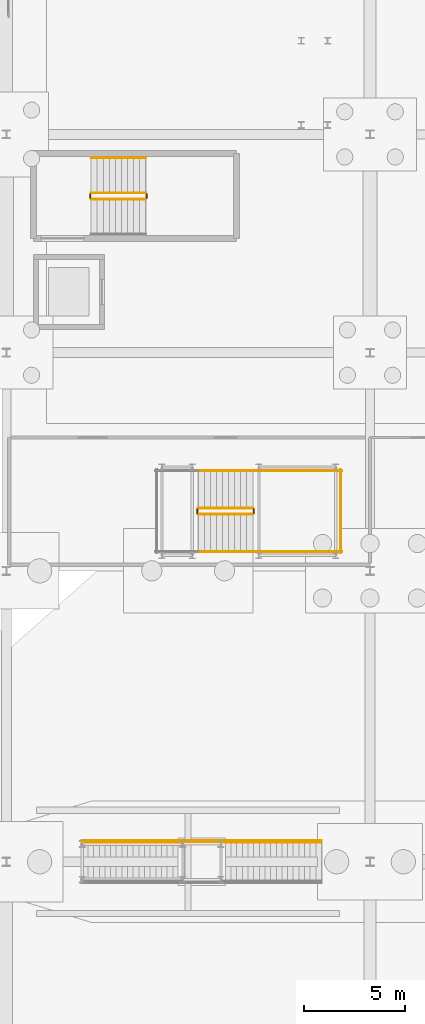
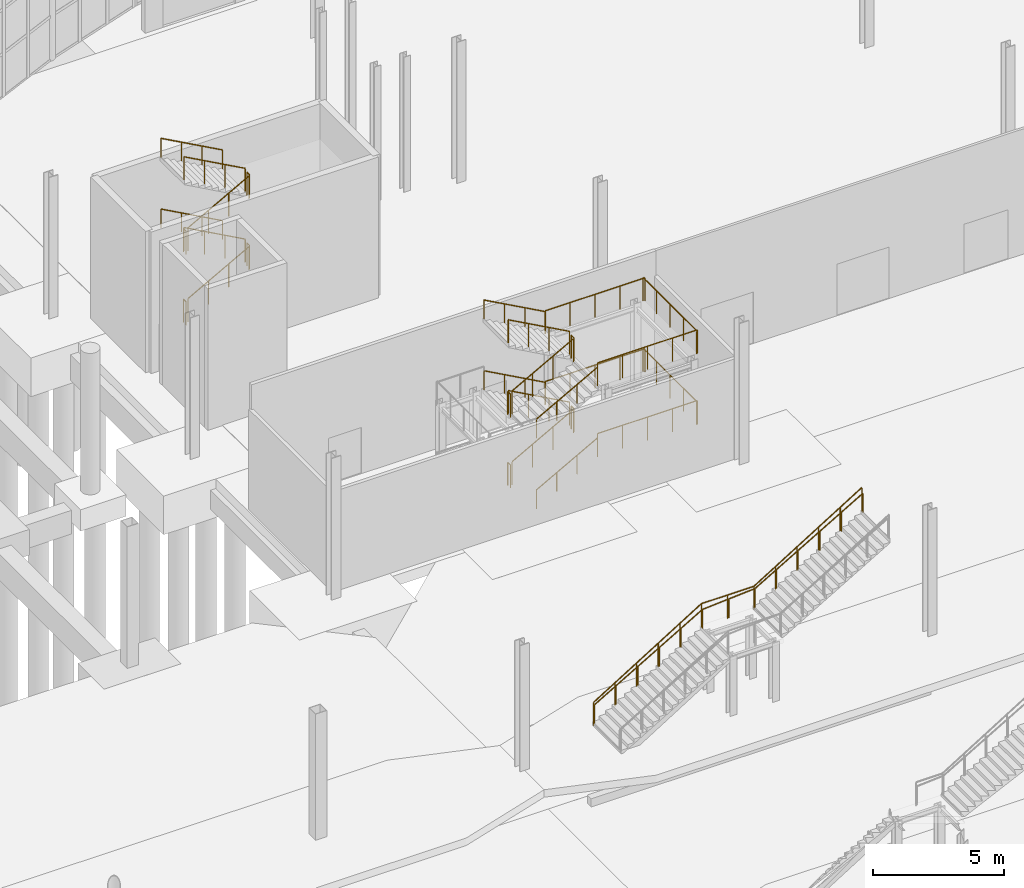
# One storey, part 108 of 115: 30 railings.
"""IFC4 building model written with IfcOpenShell, lengths in metres."""

from ifc_helpers import new_model, si_unit, direction, frame, origin, origin_2d, place, context, subcontext, project, spatial, circle, extrude, material, type_object, element, save


model = new_model("IFC4")

# Units and contexts
model_context = context("Model", 3, precision=1e-05, world=origin(), true_north=direction((0.0, 1.0)))
body_context = subcontext(model_context, "Body", "Model", "MODEL_VIEW")
ifc_project = project(units=[si_unit("LENGTHUNIT", "METRE"), si_unit("AREAUNIT", "SQUARE_METRE"), si_unit("VOLUMEUNIT", "CUBIC_METRE"), si_unit("PLANEANGLEUNIT", "RADIAN"), si_unit("MASSUNIT", "GRAM", prefix="KILO")], contexts=[model_context])

# Site, building, storey
site_placement = place(None, origin())
site = spatial("IfcSite", under=ifc_project, at=site_placement, CompositionType="ELEMENT")
building_placement = place(site_placement, origin())
building = spatial("IfcBuilding", under=site, at=building_placement, Name="Tamarisk Ironworks Central Station", CompositionType="ELEMENT")
storey_placement = place(building_placement, origin())
storey = spatial("IfcBuildingStorey", under=building, at=storey_placement, Name="L00", CompositionType="ELEMENT", Elevation=0.0)

# Railings
ifc_material_1 = material(Name="Laminated solar-control low-E glass", Category="glass")
railing_type_1 = type_object("IfcRailingType", Name="RL-GUARD-GLASS", PredefinedType="BALUSTRADE", material=ifc_material_1)
railing_1_placement = place(storey_placement, frame((63.5, 82.0, 0.1650390625)))
element("IfcRailing", 1, at=railing_1_placement, inside=storey, type_object=railing_type_1, Name="L00 ST-TH1 stair guard 1", PredefinedType="BALUSTRADE", context=body_context, shape_type="SweptSolid", body=[
    extrude(circle(Radius=0.02392578125, at=origin_2d()), frame((0.0, 0.0, 1.076171875), z_axis=(0.876230963923, 0.0, 0.481891375584), x_axis=(0.0, 1.0, 0.0)), (0.0, 0.0, 1.0), 3.081298828125),
    extrude(circle(Radius=0.02099609375, at=origin_2d()), origin(), (0.0, 0.0, 1.0), 1.052001953125),
    extrude(circle(Radius=0.02099609375, at=origin_2d()), frame((0.89990234375, 0.0, 0.494873046875)), (0.0, 0.0, 1.0), 1.052001953125),
    extrude(circle(Radius=0.02099609375, at=origin_2d()), frame((1.800048828125, 0.0, 0.989990234375)), (0.0, 0.0, 1.0), 1.052001953125),
    extrude(circle(Radius=0.02099609375, at=origin_2d()), frame((2.699951171875, 0.0, 1.48486328125)), (0.0, 0.0, 1.0), 1.052001953125),
])
railing_2_placement = place(storey_placement, frame((66.25, 82.050048828125, 1.64990234375)))
element("IfcRailing", 2, at=railing_2_placement, inside=storey, type_object=railing_type_1, Name="L00 ST-TH1 stair guard 2", PredefinedType="BALUSTRADE", context=body_context, shape_type="SweptSolid", body=[
    extrude(circle(Radius=0.02392578125, at=origin_2d()), frame((0.0, 0.0, 1.076171875), z_axis=(0.0, 1.0, 0.0), x_axis=(-1.0, 0.0, 0.0)), (0.0, 0.0, 1.0), 0.199951171875),
    extrude(circle(Radius=0.02099609375, at=origin_2d()), origin(), (0.0, 0.0, 1.0), 1.052001953125),
    extrude(circle(Radius=0.02099609375, at=origin_2d()), frame((0.0, 0.199951171875, 0.0)), (0.0, 0.0, 1.0), 1.052001953125),
])
for number, where, name in (
    (3, (66.199951171875, 80.14990234375, 1.64990234375), "L00 ST-TH1 stair guard 3"),
    (4, (66.199951171875, 84.14990234375, 1.64990234375), "L00 ST-TH1 stair guard 4"),
):
    element("IfcRailing", number, at=place(storey_placement, frame(where)), inside=storey, type_object=railing_type_1, Name=name, PredefinedType="BALUSTRADE", context=body_context, shape_type="SweptSolid", body=[
        extrude(circle(Radius=0.02392578125, at=origin_2d()), frame((0.0, 0.0, 1.076171875), z_axis=(1.0, 0.0, 0.0), x_axis=(0.0, 1.0, 0.0)), (0.0, 0.0, 1.0), 4.400146484375),
        extrude(circle(Radius=0.02099609375, at=origin_2d()), origin(), (0.0, 0.0, 1.0), 1.052001953125),
        extrude(circle(Radius=0.02099609375, at=origin_2d()), frame((1.10009765625, 0.0, 0.0)), (0.0, 0.0, 1.0), 1.052001953125),
        extrude(circle(Radius=0.02099609375, at=origin_2d()), frame((2.2001953125, 0.0, 0.0)), (0.0, 0.0, 1.0), 1.052001953125),
        extrude(circle(Radius=0.02099609375, at=origin_2d()), frame((3.300048828125, 0.0, 0.0)), (0.0, 0.0, 1.0), 1.052001953125),
        extrude(circle(Radius=0.02099609375, at=origin_2d()), frame((4.400146484375, 0.0, 0.0)), (0.0, 0.0, 1.0), 1.052001953125),
    ])
railing_3_placement = place(storey_placement, frame((70.550048828125, 80.10009765625, 1.64990234375)))
element("IfcRailing", 5, at=railing_3_placement, inside=storey, type_object=railing_type_1, Name="L00 ST-TH1 stair guard 5", PredefinedType="BALUSTRADE", context=body_context, shape_type="SweptSolid", body=[
    extrude(circle(Radius=0.02392578125, at=origin_2d()), frame((0.0, 0.0, 1.076171875), z_axis=(0.0, 1.0, 0.0), x_axis=(-1.0, 0.0, 0.0)), (0.0, 0.0, 1.0), 4.099853515625),
    extrude(circle(Radius=0.02099609375, at=origin_2d()), origin(), (0.0, 0.0, 1.0), 1.052001953125),
    extrude(circle(Radius=0.02099609375, at=origin_2d()), frame((0.0, 1.02490234375, 0.0)), (0.0, 0.0, 1.0), 1.052001953125),
    extrude(circle(Radius=0.02099609375, at=origin_2d()), frame((0.0, 2.0498046875, 0.0)), (0.0, 0.0, 1.0), 1.052001953125),
    extrude(circle(Radius=0.02099609375, at=origin_2d()), frame((0.0, 3.074951171875, 0.0)), (0.0, 0.0, 1.0), 1.052001953125),
    extrude(circle(Radius=0.02099609375, at=origin_2d()), frame((0.0, 4.099853515625, 0.0)), (0.0, 0.0, 1.0), 1.052001953125),
])
railing_4_placement = place(storey_placement, frame((66.199951171875, 82.300048828125, 1.81494140625)))
element("IfcRailing", 6, at=railing_4_placement, inside=storey, type_object=railing_type_1, Name="L00 ST-TH1 stair guard 6", PredefinedType="BALUSTRADE", context=body_context, shape_type="SweptSolid", body=[
    extrude(circle(Radius=0.02392578125, at=origin_2d()), frame((0.0, 0.0, 1.076171875), z_axis=(-0.876197507361, 0.0, 0.481952205197), x_axis=(0.0, -1.0, 0.0)), (0.0, 0.0, 1.0), 3.08154296875),
    extrude(circle(Radius=0.02099609375, at=origin_2d()), origin(), (0.0, 0.0, 1.0), 1.052001953125),
    extrude(circle(Radius=0.02099609375, at=origin_2d()), frame((-0.89990234375, 0.0, 0.4951171875)), (0.0, 0.0, 1.0), 1.052001953125),
    extrude(circle(Radius=0.02099609375, at=origin_2d()), frame((-1.800048828125, 0.0, 0.989990234375)), (0.0, 0.0, 1.0), 1.052001953125),
    extrude(circle(Radius=0.02099609375, at=origin_2d()), frame((-2.699951171875, 0.0, 1.485107421875)), (0.0, 0.0, 1.0), 1.052001953125),
])
railing_5_placement = place(storey_placement, frame((63.449951171875, 82.050048828125, 3.300048828125)))
element("IfcRailing", 7, at=railing_5_placement, inside=storey, type_object=railing_type_1, Name="L00 ST-TH1 stair guard 7", PredefinedType="BALUSTRADE", context=body_context, shape_type="SweptSolid", body=[
    extrude(circle(Radius=0.02392578125, at=origin_2d()), frame((0.0, 0.0, 1.076171875), z_axis=(0.0, 1.0, 0.0), x_axis=(-1.0, 0.0, 0.0)), (0.0, 0.0, 1.0), 0.199951171875),
    extrude(circle(Radius=0.02099609375, at=origin_2d()), origin(), (0.0, 0.0, 1.0), 1.052001953125),
    extrude(circle(Radius=0.02099609375, at=origin_2d()), frame((0.0, 0.199951171875, 0.0)), (0.0, 0.0, 1.0), 1.052001953125),
])
railing_6_placement = place(storey_placement, frame((63.5, 82.0, 3.465087890625)))
element("IfcRailing", 8, at=railing_6_placement, inside=storey, type_object=railing_type_1, Name="L00 ST-TH1 stair guard 11", PredefinedType="BALUSTRADE", context=body_context, shape_type="SweptSolid", body=[
    extrude(circle(Radius=0.02392578125, at=origin_2d()), frame((0.0, 0.0, 1.076171875), z_axis=(0.876230963923, 0.0, 0.481891375584), x_axis=(0.0, 1.0, 0.0)), (0.0, 0.0, 1.0), 3.081298828125),
    extrude(circle(Radius=0.02099609375, at=origin_2d()), origin(), (0.0, 0.0, 1.0), 1.052001953125),
    extrude(circle(Radius=0.02099609375, at=origin_2d()), frame((0.89990234375, 0.0, 0.494873046875)), (0.0, 0.0, 1.0), 1.052001953125),
    extrude(circle(Radius=0.02099609375, at=origin_2d()), frame((1.800048828125, 0.0, 0.989990234375)), (0.0, 0.0, 1.0), 1.052001953125),
    extrude(circle(Radius=0.02099609375, at=origin_2d()), frame((2.699951171875, 0.0, 1.48486328125)), (0.0, 0.0, 1.0), 1.052001953125),
])
railing_7_placement = place(storey_placement, frame((66.25, 82.050048828125, 4.949951171875)))
element("IfcRailing", 9, at=railing_7_placement, inside=storey, type_object=railing_type_1, Name="L00 ST-TH1 stair guard 12", PredefinedType="BALUSTRADE", context=body_context, shape_type="SweptSolid", body=[
    extrude(circle(Radius=0.02392578125, at=origin_2d()), frame((0.0, 0.0, 1.076171875), z_axis=(0.0, 1.0, 0.0), x_axis=(-1.0, 0.0, 0.0)), (0.0, 0.0, 1.0), 0.199951171875),
    extrude(circle(Radius=0.02099609375, at=origin_2d()), origin(), (0.0, 0.0, 1.0), 1.052001953125),
    extrude(circle(Radius=0.02099609375, at=origin_2d()), frame((0.0, 0.199951171875, 0.0)), (0.0, 0.0, 1.0), 1.052001953125),
])
for number, where, name in (
    (10, (66.199951171875, 80.14990234375, 4.949951171875), "L00 ST-TH1 stair guard 13"),
    (11, (66.199951171875, 84.14990234375, 4.949951171875), "L00 ST-TH1 stair guard 14"),
):
    element("IfcRailing", number, at=place(storey_placement, frame(where)), inside=storey, type_object=railing_type_1, Name=name, PredefinedType="BALUSTRADE", context=body_context, shape_type="SweptSolid", body=[
        extrude(circle(Radius=0.02392578125, at=origin_2d()), frame((0.0, 0.0, 1.076171875), z_axis=(1.0, 0.0, 0.0), x_axis=(0.0, 1.0, 0.0)), (0.0, 0.0, 1.0), 4.400146484375),
        extrude(circle(Radius=0.02099609375, at=origin_2d()), origin(), (0.0, 0.0, 1.0), 1.052001953125),
        extrude(circle(Radius=0.02099609375, at=origin_2d()), frame((1.10009765625, 0.0, 0.0)), (0.0, 0.0, 1.0), 1.052001953125),
        extrude(circle(Radius=0.02099609375, at=origin_2d()), frame((2.2001953125, 0.0, 0.0)), (0.0, 0.0, 1.0), 1.052001953125),
        extrude(circle(Radius=0.02099609375, at=origin_2d()), frame((3.300048828125, 0.0, 0.0)), (0.0, 0.0, 1.0), 1.052001953125),
        extrude(circle(Radius=0.02099609375, at=origin_2d()), frame((4.400146484375, 0.0, 0.0)), (0.0, 0.0, 1.0), 1.052001953125),
    ])
railing_8_placement = place(storey_placement, frame((70.550048828125, 80.10009765625, 4.949951171875)))
element("IfcRailing", 12, at=railing_8_placement, inside=storey, type_object=railing_type_1, Name="L00 ST-TH1 stair guard 15", PredefinedType="BALUSTRADE", context=body_context, shape_type="SweptSolid", body=[
    extrude(circle(Radius=0.02392578125, at=origin_2d()), frame((0.0, 0.0, 1.076171875), z_axis=(0.0, 1.0, 0.0), x_axis=(-1.0, 0.0, 0.0)), (0.0, 0.0, 1.0), 4.099853515625),
    extrude(circle(Radius=0.02099609375, at=origin_2d()), origin(), (0.0, 0.0, 1.0), 1.052001953125),
    extrude(circle(Radius=0.02099609375, at=origin_2d()), frame((0.0, 1.02490234375, 0.0)), (0.0, 0.0, 1.0), 1.052001953125),
    extrude(circle(Radius=0.02099609375, at=origin_2d()), frame((0.0, 2.0498046875, 0.0)), (0.0, 0.0, 1.0), 1.052001953125),
    extrude(circle(Radius=0.02099609375, at=origin_2d()), frame((0.0, 3.074951171875, 0.0)), (0.0, 0.0, 1.0), 1.052001953125),
    extrude(circle(Radius=0.02099609375, at=origin_2d()), frame((0.0, 4.099853515625, 0.0)), (0.0, 0.0, 1.0), 1.052001953125),
])
railing_9_placement = place(storey_placement, frame((66.199951171875, 82.300048828125, 5.114990234375)))
element("IfcRailing", 13, at=railing_9_placement, inside=storey, type_object=railing_type_1, Name="L00 ST-TH1 stair guard 16", PredefinedType="BALUSTRADE", context=body_context, shape_type="SweptSolid", body=[
    extrude(circle(Radius=0.02392578125, at=origin_2d()), frame((0.0, 0.0, 1.076171875), z_axis=(-0.876197507361, 0.0, 0.481952205197), x_axis=(0.0, -1.0, 0.0)), (0.0, 0.0, 1.0), 3.08154296875),
    extrude(circle(Radius=0.02099609375, at=origin_2d()), origin(), (0.0, 0.0, 1.0), 1.052001953125),
    extrude(circle(Radius=0.02099609375, at=origin_2d()), frame((-0.89990234375, 0.0, 0.4951171875)), (0.0, 0.0, 1.0), 1.052001953125),
    extrude(circle(Radius=0.02099609375, at=origin_2d()), frame((-1.800048828125, 0.0, 0.989990234375)), (0.0, 0.0, 1.0), 1.052001953125),
    extrude(circle(Radius=0.02099609375, at=origin_2d()), frame((-2.699951171875, 0.0, 1.485107421875)), (0.0, 0.0, 1.0), 1.052001953125),
])
railing_10_placement = place(storey_placement, frame((63.449951171875, 82.050048828125, 0.0)))
element("IfcRailing", 14, at=railing_10_placement, inside=storey, type_object=railing_type_1, Name="L00 ST-TH1 stair guard 17", PredefinedType="BALUSTRADE", context=body_context, shape_type="SweptSolid", body=[
    extrude(circle(Radius=0.02392578125, at=origin_2d()), frame((0.0, 0.0, 1.076171875), z_axis=(0.0, 1.0, 0.0), x_axis=(-1.0, 0.0, 0.0)), (0.0, 0.0, 1.0), 0.199951171875),
    extrude(circle(Radius=0.02099609375, at=origin_2d()), origin(), (0.0, 0.0, 1.0), 1.052001953125),
    extrude(circle(Radius=0.02099609375, at=origin_2d()), frame((0.0, 0.199951171875, 0.0)), (0.0, 0.0, 1.0), 1.052001953125),
])
ifc_material_2 = material(Name="Brushed stainless steel AISI 316", Category="steel")
railing_type_2 = type_object("IfcRailingType", Name="RL-GUARD-INT", PredefinedType="BALUSTRADE", material=ifc_material_2)
railing_11_placement = place(storey_placement, frame((58.199951171875, 97.60009765625, 0.1650390625)))
element("IfcRailing", 15, at=railing_11_placement, inside=storey, type_object=railing_type_2, Name="L00 ST-C3 stair guard 1", PredefinedType="BALUSTRADE", context=body_context, shape_type="SweptSolid", body=[
    extrude(circle(Radius=0.02392578125, at=origin_2d()), frame((0.0, 0.0, 1.076171875), z_axis=(0.876230963923, 0.0, 0.481891375584), x_axis=(0.0, 1.0, 0.0)), (0.0, 0.0, 1.0), 3.081298828125),
    extrude(circle(Radius=0.02099609375, at=origin_2d()), origin(), (0.0, 0.0, 1.0), 1.052001953125),
    extrude(circle(Radius=0.02099609375, at=origin_2d()), frame((0.89990234375, 0.0, 0.494873046875)), (0.0, 0.0, 1.0), 1.052001953125),
    extrude(circle(Radius=0.02099609375, at=origin_2d()), frame((1.800048828125, 0.0, 0.989990234375)), (0.0, 0.0, 1.0), 1.052001953125),
    extrude(circle(Radius=0.02099609375, at=origin_2d()), frame((2.699951171875, 0.0, 1.48486328125)), (0.0, 0.0, 1.0), 1.052001953125),
])
railing_12_placement = place(storey_placement, frame((60.949951171875, 97.64990234375, 1.64990234375)))
element("IfcRailing", 16, at=railing_12_placement, inside=storey, type_object=railing_type_2, Name="L00 ST-C3 stair guard 2", PredefinedType="BALUSTRADE", context=body_context, shape_type="SweptSolid", body=[
    extrude(circle(Radius=0.02392578125, at=origin_2d()), frame((0.0, 0.0, 1.076171875), z_axis=(0.0, 1.0, 0.0), x_axis=(-1.0, 0.0, 0.0)), (0.0, 0.0, 1.0), 0.2001953125),
    extrude(circle(Radius=0.02099609375, at=origin_2d()), origin(), (0.0, 0.0, 1.0), 1.052001953125),
    extrude(circle(Radius=0.02099609375, at=origin_2d()), frame((0.0, 0.2001953125, 0.0)), (0.0, 0.0, 1.0), 1.052001953125),
])
railing_13_placement = place(storey_placement, frame((60.89990234375, 97.89990234375, 1.81494140625)))
element("IfcRailing", 17, at=railing_13_placement, inside=storey, type_object=railing_type_2, Name="L00 ST-C3 stair guard 3", PredefinedType="BALUSTRADE", context=body_context, shape_type="SweptSolid", body=[
    extrude(circle(Radius=0.02392578125, at=origin_2d()), frame((0.0, 0.0, 1.076171875), z_axis=(-0.876197507361, 0.0, 0.481952205197), x_axis=(0.0, -1.0, 0.0)), (0.0, 0.0, 1.0), 3.08154296875),
    extrude(circle(Radius=0.02099609375, at=origin_2d()), origin(), (0.0, 0.0, 1.0), 1.052001953125),
    extrude(circle(Radius=0.02099609375, at=origin_2d()), frame((-0.89990234375, 0.0, 0.4951171875)), (0.0, 0.0, 1.0), 1.052001953125),
    extrude(circle(Radius=0.02099609375, at=origin_2d()), frame((-1.800048828125, 0.0, 0.989990234375)), (0.0, 0.0, 1.0), 1.052001953125),
    extrude(circle(Radius=0.02099609375, at=origin_2d()), frame((-2.699951171875, 0.0, 1.485107421875)), (0.0, 0.0, 1.0), 1.052001953125),
])
railing_14_placement = place(storey_placement, frame((58.14990234375, 97.64990234375, 3.300048828125)))
element("IfcRailing", 18, at=railing_14_placement, inside=storey, type_object=railing_type_2, Name="L00 ST-C3 stair guard 4", PredefinedType="BALUSTRADE", context=body_context, shape_type="SweptSolid", body=[
    extrude(circle(Radius=0.02392578125, at=origin_2d()), frame((0.0, 0.0, 1.076171875), z_axis=(0.0, 1.0, 0.0), x_axis=(-1.0, 0.0, 0.0)), (0.0, 0.0, 1.0), 0.2001953125),
    extrude(circle(Radius=0.02099609375, at=origin_2d()), origin(), (0.0, 0.0, 1.0), 1.052001953125),
    extrude(circle(Radius=0.02099609375, at=origin_2d()), frame((0.0, 0.2001953125, 0.0)), (0.0, 0.0, 1.0), 1.052001953125),
])
railing_15_placement = place(storey_placement, frame((58.199951171875, 97.60009765625, 3.465087890625)))
element("IfcRailing", 19, at=railing_15_placement, inside=storey, type_object=railing_type_2, Name="L00 ST-C3 stair guard 5", PredefinedType="BALUSTRADE", context=body_context, shape_type="SweptSolid", body=[
    extrude(circle(Radius=0.02392578125, at=origin_2d()), frame((0.0, 0.0, 1.076171875), z_axis=(0.876230963923, 0.0, 0.481891375584), x_axis=(0.0, 1.0, 0.0)), (0.0, 0.0, 1.0), 3.081298828125),
    extrude(circle(Radius=0.02099609375, at=origin_2d()), origin(), (0.0, 0.0, 1.0), 1.052001953125),
    extrude(circle(Radius=0.02099609375, at=origin_2d()), frame((0.89990234375, 0.0, 0.494873046875)), (0.0, 0.0, 1.0), 1.052001953125),
    extrude(circle(Radius=0.02099609375, at=origin_2d()), frame((1.800048828125, 0.0, 0.989990234375)), (0.0, 0.0, 1.0), 1.052001953125),
    extrude(circle(Radius=0.02099609375, at=origin_2d()), frame((2.699951171875, 0.0, 1.48486328125)), (0.0, 0.0, 1.0), 1.052001953125),
])
railing_16_placement = place(storey_placement, frame((60.949951171875, 97.64990234375, 4.949951171875)))
element("IfcRailing", 20, at=railing_16_placement, inside=storey, type_object=railing_type_2, Name="L00 ST-C3 stair guard 6", PredefinedType="BALUSTRADE", context=body_context, shape_type="SweptSolid", body=[
    extrude(circle(Radius=0.02392578125, at=origin_2d()), frame((0.0, 0.0, 1.076171875), z_axis=(0.0, 1.0, 0.0), x_axis=(-1.0, 0.0, 0.0)), (0.0, 0.0, 1.0), 0.2001953125),
    extrude(circle(Radius=0.02099609375, at=origin_2d()), origin(), (0.0, 0.0, 1.0), 1.052001953125),
    extrude(circle(Radius=0.02099609375, at=origin_2d()), frame((0.0, 0.2001953125, 0.0)), (0.0, 0.0, 1.0), 1.052001953125),
])
railing_17_placement = place(storey_placement, frame((60.89990234375, 97.89990234375, 5.114990234375)))
element("IfcRailing", 21, at=railing_17_placement, inside=storey, type_object=railing_type_2, Name="L00 ST-C3 stair guard 7", PredefinedType="BALUSTRADE", context=body_context, shape_type="SweptSolid", body=[
    extrude(circle(Radius=0.02392578125, at=origin_2d()), frame((0.0, 0.0, 1.076171875), z_axis=(-0.876197507361, 0.0, 0.481952205197), x_axis=(0.0, -1.0, 0.0)), (0.0, 0.0, 1.0), 3.08154296875),
    extrude(circle(Radius=0.02099609375, at=origin_2d()), origin(), (0.0, 0.0, 1.0), 1.052001953125),
    extrude(circle(Radius=0.02099609375, at=origin_2d()), frame((-0.89990234375, 0.0, 0.4951171875)), (0.0, 0.0, 1.0), 1.052001953125),
    extrude(circle(Radius=0.02099609375, at=origin_2d()), frame((-1.800048828125, 0.0, 0.989990234375)), (0.0, 0.0, 1.0), 1.052001953125),
    extrude(circle(Radius=0.02099609375, at=origin_2d()), frame((-2.699951171875, 0.0, 1.485107421875)), (0.0, 0.0, 1.0), 1.052001953125),
])
railing_18_placement = place(storey_placement, frame((58.14990234375, 97.64990234375, 0.0)))
element("IfcRailing", 22, at=railing_18_placement, inside=storey, type_object=railing_type_2, Name="L00 ST-C3 stair guard 8", PredefinedType="BALUSTRADE", context=body_context, shape_type="SweptSolid", body=[
    extrude(circle(Radius=0.02392578125, at=origin_2d()), frame((0.0, 0.0, 1.076171875), z_axis=(0.0, 1.0, 0.0), x_axis=(-1.0, 0.0, 0.0)), (0.0, 0.0, 1.0), 0.2001953125),
    extrude(circle(Radius=0.02099609375, at=origin_2d()), origin(), (0.0, 0.0, 1.0), 1.052001953125),
    extrude(circle(Radius=0.02099609375, at=origin_2d()), frame((0.0, 0.2001953125, 0.0)), (0.0, 0.0, 1.0), 1.052001953125),
])
railing_19_placement = place(storey_placement, frame((57.760009765625, 65.840087890625, 0.719970703125)))
element("IfcRailing", 23, at=railing_19_placement, inside=storey, type_object=railing_type_2, Name="ST-P4A flight guard N", PredefinedType="BALUSTRADE", context=body_context, shape_type="SweptSolid", body=[
    extrude(circle(Radius=0.02392578125, at=origin_2d()), frame((0.0, 0.0, 1.09619140625), z_axis=(0.850803161698, 0.0, 0.525484519319), x_axis=(0.0, 1.0, 0.0)), (0.0, 0.0, 1.0), 5.5947265625),
    extrude(circle(Radius=0.02392578125, at=origin_2d()), frame((4.760009765625, 0.0, 4.0361328125), z_axis=(1.0, 0.0, 0.0), x_axis=(0.0, 1.0, 0.0)), (0.0, 0.0, 1.0), 2.320068359375),
    extrude(circle(Radius=0.02392578125, at=origin_2d()), frame((7.080078125, 0.0, 4.0361328125), z_axis=(0.850783651871, 0.0, 0.525516106041), x_axis=(0.0, 1.0, 0.0)), (0.0, 0.0, 1.0), 5.594970703125),
    extrude(circle(Radius=0.02099609375, at=origin_2d()), origin(), (0.0, 0.0, 1.0), 1.072021484375),
    extrude(circle(Radius=0.02099609375, at=origin_2d()), frame((0.951904296875, 0.0, 0.587890625)), (0.0, 0.0, 1.0), 1.072021484375),
    extrude(circle(Radius=0.02099609375, at=origin_2d()), frame((1.904052734375, 0.0, 1.176025390625)), (0.0, 0.0, 1.0), 1.072021484375),
    extrude(circle(Radius=0.02099609375, at=origin_2d()), frame((2.85595703125, 0.0, 1.763916015625)), (0.0, 0.0, 1.0), 1.072021484375),
    extrude(circle(Radius=0.02099609375, at=origin_2d()), frame((3.80810546875, 0.0, 2.35205078125)), (0.0, 0.0, 1.0), 1.072021484375),
    extrude(circle(Radius=0.02099609375, at=origin_2d()), frame((4.760009765625, 0.0, 2.93994140625)), (0.0, 0.0, 1.0), 1.072021484375),
    extrude(circle(Radius=0.02099609375, at=origin_2d()), frame((5.919921875, 0.0, 2.93994140625)), (0.0, 0.0, 1.0), 1.072021484375),
    extrude(circle(Radius=0.02099609375, at=origin_2d()), frame((7.080078125, 0.0, 2.93994140625)), (0.0, 0.0, 1.0), 1.072021484375),
    extrude(circle(Radius=0.02099609375, at=origin_2d()), frame((8.031982421875, 0.0, 3.528076171875)), (0.0, 0.0, 1.0), 1.072021484375),
    extrude(circle(Radius=0.02099609375, at=origin_2d()), frame((8.984130859375, 0.0, 4.115966796875)), (0.0, 0.0, 1.0), 1.072021484375),
    extrude(circle(Radius=0.02099609375, at=origin_2d()), frame((9.93603515625, 0.0, 4.7041015625)), (0.0, 0.0, 1.0), 1.072021484375),
    extrude(circle(Radius=0.02099609375, at=origin_2d()), frame((10.88818359375, 0.0, 5.2919921875)), (0.0, 0.0, 1.0), 1.072021484375),
    extrude(circle(Radius=0.02099609375, at=origin_2d()), frame((11.840087890625, 0.0, 5.880126953125)), (0.0, 0.0, 1.0), 1.072021484375),
])
railing_type_3 = type_object("IfcRailingType", Name="RL-HAND", PredefinedType="HANDRAIL", material=ifc_material_2)
for number, where, name in (
    (24, (60.89990234375, 99.64990234375, 1.81494140625), "L00 ST-C3 stair handrail 2"),
    (25, (60.89990234375, 99.64990234375, 5.114990234375), "L00 ST-C3 stair handrail 4"),
):
    element("IfcRailing", number, at=place(storey_placement, frame(where)), inside=storey, type_object=railing_type_3, Name=name, PredefinedType="HANDRAIL", context=body_context, shape_type="SweptSolid", body=[
        extrude(circle(Radius=0.02392578125, at=origin_2d()), frame((0.0, 0.0, 0.8759765625), z_axis=(-0.876197507361, 0.0, 0.481952205197), x_axis=(0.0, -1.0, 0.0)), (0.0, 0.0, 1.0), 3.08154296875),
        extrude(circle(Radius=0.02099609375, at=origin_2d()), origin(), (0.0, 0.0, 1.0), 0.851806640625),
        extrude(circle(Radius=0.02099609375, at=origin_2d()), frame((-0.89990234375, 0.0, 0.4951171875)), (0.0, 0.0, 1.0), 0.851806640625),
        extrude(circle(Radius=0.02099609375, at=origin_2d()), frame((-1.800048828125, 0.0, 0.989990234375)), (0.0, 0.0, 1.0), 0.851806640625),
        extrude(circle(Radius=0.02099609375, at=origin_2d()), frame((-2.699951171875, 0.0, 1.485107421875)), (0.0, 0.0, 1.0), 0.851806640625),
    ])
railing_20_placement = place(storey_placement, frame((63.5, 80.14990234375, 0.1650390625)))
element("IfcRailing", 26, at=railing_20_placement, inside=storey, type_object=railing_type_3, Name="L00 ST-TH1 stair handrail 1", PredefinedType="HANDRAIL", context=body_context, shape_type="SweptSolid", body=[
    extrude(circle(Radius=0.02392578125, at=origin_2d()), frame((0.0, 0.0, 0.8759765625), z_axis=(0.876230963923, 0.0, 0.481891375584), x_axis=(0.0, 1.0, 0.0)), (0.0, 0.0, 1.0), 3.081298828125),
    extrude(circle(Radius=0.02099609375, at=origin_2d()), origin(), (0.0, 0.0, 1.0), 0.851806640625),
    extrude(circle(Radius=0.02099609375, at=origin_2d()), frame((0.89990234375, 0.0, 0.494873046875)), (0.0, 0.0, 1.0), 0.851806640625),
    extrude(circle(Radius=0.02099609375, at=origin_2d()), frame((1.800048828125, 0.0, 0.989990234375)), (0.0, 0.0, 1.0), 0.851806640625),
    extrude(circle(Radius=0.02099609375, at=origin_2d()), frame((2.699951171875, 0.0, 1.48486328125)), (0.0, 0.0, 1.0), 0.851806640625),
])
railing_21_placement = place(storey_placement, frame((66.199951171875, 84.14990234375, 1.81494140625)))
element("IfcRailing", 27, at=railing_21_placement, inside=storey, type_object=railing_type_3, Name="L00 ST-TH1 stair handrail 2", PredefinedType="HANDRAIL", context=body_context, shape_type="SweptSolid", body=[
    extrude(circle(Radius=0.02392578125, at=origin_2d()), frame((0.0, 0.0, 0.8759765625), z_axis=(-0.876197507361, 0.0, 0.481952205197), x_axis=(0.0, -1.0, 0.0)), (0.0, 0.0, 1.0), 3.08154296875),
    extrude(circle(Radius=0.02099609375, at=origin_2d()), origin(), (0.0, 0.0, 1.0), 0.851806640625),
    extrude(circle(Radius=0.02099609375, at=origin_2d()), frame((-0.89990234375, 0.0, 0.4951171875)), (0.0, 0.0, 1.0), 0.851806640625),
    extrude(circle(Radius=0.02099609375, at=origin_2d()), frame((-1.800048828125, 0.0, 0.989990234375)), (0.0, 0.0, 1.0), 0.851806640625),
    extrude(circle(Radius=0.02099609375, at=origin_2d()), frame((-2.699951171875, 0.0, 1.485107421875)), (0.0, 0.0, 1.0), 0.851806640625),
])
railing_22_placement = place(storey_placement, frame((63.5, 80.14990234375, 3.465087890625)))
element("IfcRailing", 28, at=railing_22_placement, inside=storey, type_object=railing_type_3, Name="L00 ST-TH1 stair handrail 3", PredefinedType="HANDRAIL", context=body_context, shape_type="SweptSolid", body=[
    extrude(circle(Radius=0.02392578125, at=origin_2d()), frame((0.0, 0.0, 0.8759765625), z_axis=(0.876230963923, 0.0, 0.481891375584), x_axis=(0.0, 1.0, 0.0)), (0.0, 0.0, 1.0), 3.081298828125),
    extrude(circle(Radius=0.02099609375, at=origin_2d()), origin(), (0.0, 0.0, 1.0), 0.851806640625),
    extrude(circle(Radius=0.02099609375, at=origin_2d()), frame((0.89990234375, 0.0, 0.494873046875)), (0.0, 0.0, 1.0), 0.851806640625),
    extrude(circle(Radius=0.02099609375, at=origin_2d()), frame((1.800048828125, 0.0, 0.989990234375)), (0.0, 0.0, 1.0), 0.851806640625),
    extrude(circle(Radius=0.02099609375, at=origin_2d()), frame((2.699951171875, 0.0, 1.48486328125)), (0.0, 0.0, 1.0), 0.851806640625),
])
railing_23_placement = place(storey_placement, frame((66.199951171875, 84.14990234375, 5.114990234375)))
element("IfcRailing", 29, at=railing_23_placement, inside=storey, type_object=railing_type_3, Name="L00 ST-TH1 stair handrail 4", PredefinedType="HANDRAIL", context=body_context, shape_type="SweptSolid", body=[
    extrude(circle(Radius=0.02392578125, at=origin_2d()), frame((0.0, 0.0, 0.8759765625), z_axis=(-0.876197507361, 0.0, 0.481952205197), x_axis=(0.0, -1.0, 0.0)), (0.0, 0.0, 1.0), 3.08154296875),
    extrude(circle(Radius=0.02099609375, at=origin_2d()), origin(), (0.0, 0.0, 1.0), 0.851806640625),
    extrude(circle(Radius=0.02099609375, at=origin_2d()), frame((-0.89990234375, 0.0, 0.4951171875)), (0.0, 0.0, 1.0), 0.851806640625),
    extrude(circle(Radius=0.02099609375, at=origin_2d()), frame((-1.800048828125, 0.0, 0.989990234375)), (0.0, 0.0, 1.0), 0.851806640625),
    extrude(circle(Radius=0.02099609375, at=origin_2d()), frame((-2.699951171875, 0.0, 1.485107421875)), (0.0, 0.0, 1.0), 0.851806640625),
])
railing_24_placement = place(storey_placement, frame((57.760009765625, 65.760009765625, 0.88330078125)))
element("IfcRailing", 30, at=railing_24_placement, inside=storey, type_object=railing_type_3, Name="ST-P4A handrail N", PredefinedType="HANDRAIL", context=body_context, shape_type="SweptSolid", body=[
    extrude(circle(Radius=0.02392578125, at=origin_2d()), frame((0.0, 0.0, 0.8759765625), z_axis=(0.863783721438, 0.0, 0.503862761651), x_axis=(0.0, 1.0, 0.0)), (0.0, 0.0, 1.0), 5.5107421875),
    extrude(circle(Radius=0.02392578125, at=origin_2d()), frame((4.760009765625, 0.0, 3.65234375), z_axis=(0.997531175799, 0.0, 0.070225019111), x_axis=(0.0, 1.0, 0.0)), (0.0, 0.0, 1.0), 2.325927734375),
    extrude(circle(Radius=0.02392578125, at=origin_2d()), frame((7.080078125, 0.0, 3.81591796875), z_axis=(0.863764439128, 0.0, 0.503895816313), x_axis=(0.0, 1.0, 0.0)), (0.0, 0.0, 1.0), 5.5107421875),
    extrude(circle(Radius=0.02099609375, at=origin_2d()), origin(), (0.0, 0.0, 1.0), 0.851806640625),
    extrude(circle(Radius=0.02099609375, at=origin_2d()), frame((0.951904296875, 0.0, 0.555419921875)), (0.0, 0.0, 1.0), 0.851806640625),
    extrude(circle(Radius=0.02099609375, at=origin_2d()), frame((1.904052734375, 0.0, 1.110595703125)), (0.0, 0.0, 1.0), 0.851806640625),
    extrude(circle(Radius=0.02099609375, at=origin_2d()), frame((2.85595703125, 0.0, 1.666015625)), (0.0, 0.0, 1.0), 0.851806640625),
    extrude(circle(Radius=0.02099609375, at=origin_2d()), frame((3.80810546875, 0.0, 2.22119140625)), (0.0, 0.0, 1.0), 0.851806640625),
    extrude(circle(Radius=0.02099609375, at=origin_2d()), frame((4.760009765625, 0.0, 2.776611328125)), (0.0, 0.0, 1.0), 0.851806640625),
    extrude(circle(Radius=0.02099609375, at=origin_2d()), frame((5.919921875, 0.0, 2.8583984375)), (0.0, 0.0, 1.0), 0.851806640625),
    extrude(circle(Radius=0.02099609375, at=origin_2d()), frame((7.080078125, 0.0, 2.93994140625)), (0.0, 0.0, 1.0), 0.851806640625),
    extrude(circle(Radius=0.02099609375, at=origin_2d()), frame((8.031982421875, 0.0, 3.495361328125)), (0.0, 0.0, 1.0), 0.851806640625),
    extrude(circle(Radius=0.02099609375, at=origin_2d()), frame((8.984130859375, 0.0, 4.05078125)), (0.0, 0.0, 1.0), 0.851806640625),
    extrude(circle(Radius=0.02099609375, at=origin_2d()), frame((9.93603515625, 0.0, 4.60595703125)), (0.0, 0.0, 1.0), 0.851806640625),
    extrude(circle(Radius=0.02099609375, at=origin_2d()), frame((10.88818359375, 0.0, 5.161376953125)), (0.0, 0.0, 1.0), 0.851806640625),
    extrude(circle(Radius=0.02099609375, at=origin_2d()), frame((11.840087890625, 0.0, 5.716796875)), (0.0, 0.0, 1.0), 0.851806640625),
])

save(model, "model.ifc")
